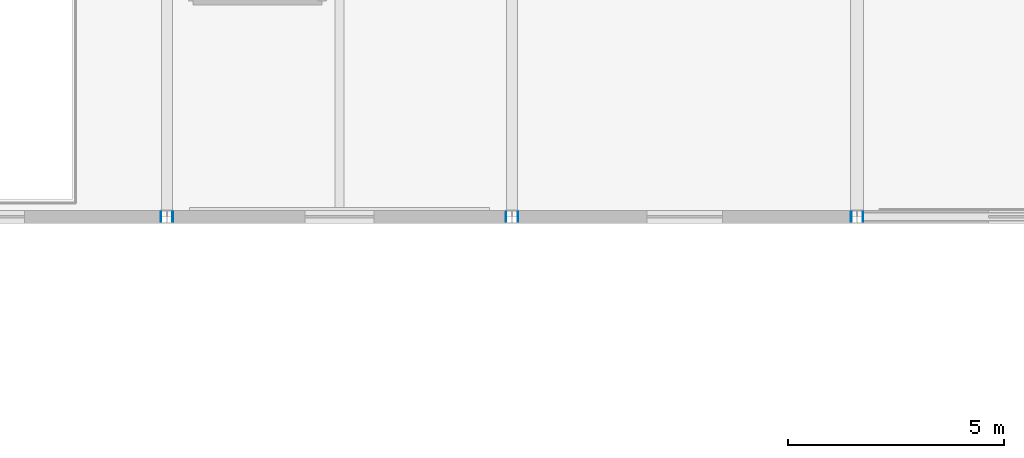
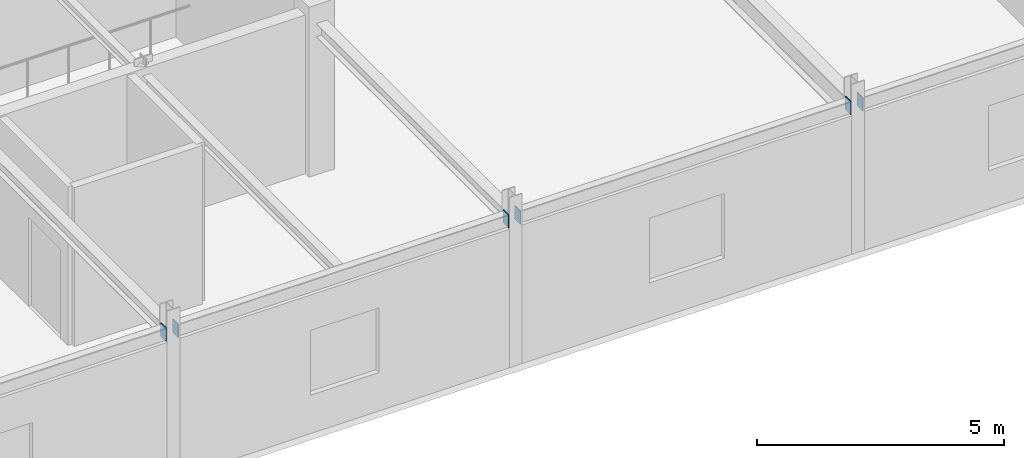
# One storey, part 56 of 88: 6 plates.
"""IFC4 building model written with IfcOpenShell, lengths in metres."""

from ifc_helpers import new_model, si_unit, direction, frame, origin, origin_2d, place, context, subcontext, project, spatial, rectangle, extrude, material, layer, layer_set, type_object, element, save


model = new_model("IFC4")

# Units and contexts
model_context = context("Model", 3, precision=1e-05, world=origin(), true_north=direction((0.0, 1.0)))
body_context = subcontext(model_context, "Body", "Model", "MODEL_VIEW")
ifc_project = project(units=[si_unit("LENGTHUNIT", "METRE"), si_unit("AREAUNIT", "SQUARE_METRE"), si_unit("VOLUMEUNIT", "CUBIC_METRE"), si_unit("PLANEANGLEUNIT", "RADIAN"), si_unit("MASSUNIT", "GRAM", prefix="KILO")], contexts=[model_context])

# Site, building, storey
site_placement = place(None, origin())
site = spatial("IfcSite", under=ifc_project, at=site_placement, CompositionType="ELEMENT")
building_placement = place(site_placement, origin())
building = spatial("IfcBuilding", under=site, at=building_placement, Name="Zhaolan Boulevard Law Courts", CompositionType="ELEMENT")
storey_placement = place(building_placement, frame((0.0, 0.0, 16.199951171875)))
storey = spatial("IfcBuildingStorey", under=building, at=storey_placement, Name="L03", CompositionType="ELEMENT", Elevation=16.199951171875)

# Plates
ifc_material = material(Name="Structural steel Q355B", Category="steel")
ifc_layer = layer(ifc_material, 0.02001953125)
ifc_layer_set = layer_set([ifc_layer])
plate_type = type_object("IfcPlateType", Name="END CAP PLATE 20", PredefinedType="SHEET", material=ifc_layer_set)
for number, where, z_axis, x_axis, name in (
    (1, (83.862060546875, 62.0, 3.423095703125), (0.0, 0.0, 1.0), (1.0, 0.0, 0.0), "Hollow Section End-Cap Plate ECP-0914"),
    (2, (84.137939453125, 62.0, 3.423095703125), (0.0, 0.0, 1.0), (1.0, 0.0, 0.0), "Hollow Section End-Cap Plate ECP-0915"),
    (3, (91.862060546875, 62.0, 3.423095703125), (0.0, 0.0, 1.0), (1.0, 0.0, 0.0), "Hollow Section End-Cap Plate ECP-0916"),
    (4, (92.137939453125, 62.0, 3.423095703125), (0.0, 0.0, 1.0), (1.0, 0.0, 0.0), "Hollow Section End-Cap Plate ECP-0917"),
    (5, (99.862060546875, 62.0, 3.423095703125), (0.0, 0.0, 1.0), (1.0, 0.0, 0.0), "Hollow Section End-Cap Plate ECP-0918"),
    (6, (100.137939453125, 62.0, 3.423095703125), (0.0, 0.0, 1.0), (1.0, 0.0, 0.0), "Hollow Section End-Cap Plate ECP-0919"),
):
    element("IfcPlate", number, at=place(storey_placement, frame(where, z_axis=z_axis, x_axis=x_axis)), inside=storey, type_object=plate_type, Name=name, PredefinedType="SHEET", context=body_context, shape_type="SweptSolid", body=[
        extrude(rectangle(XDim=0.02001953125, YDim=0.22998046875, at=origin_2d()), origin(), (0.0, 0.0, 1.0), 0.330078125),
    ])

save(model, "model.ifc")
